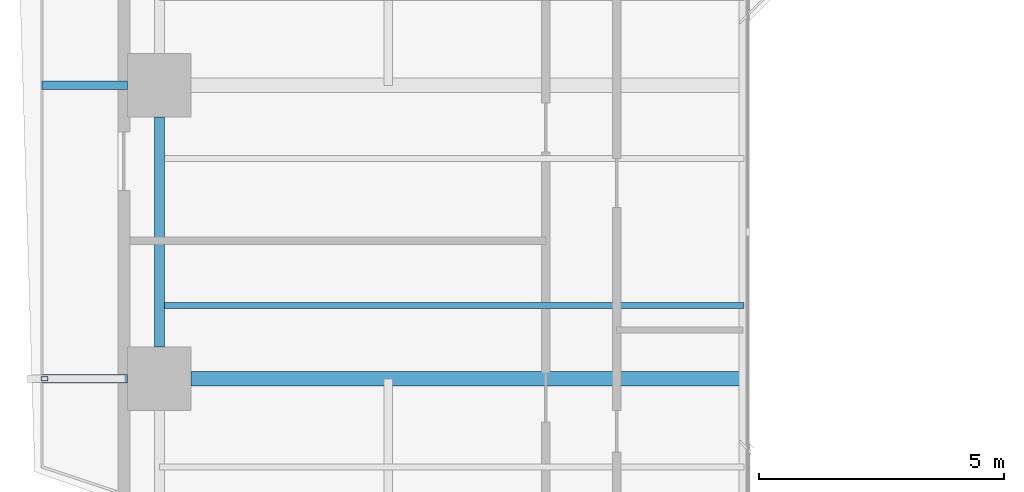
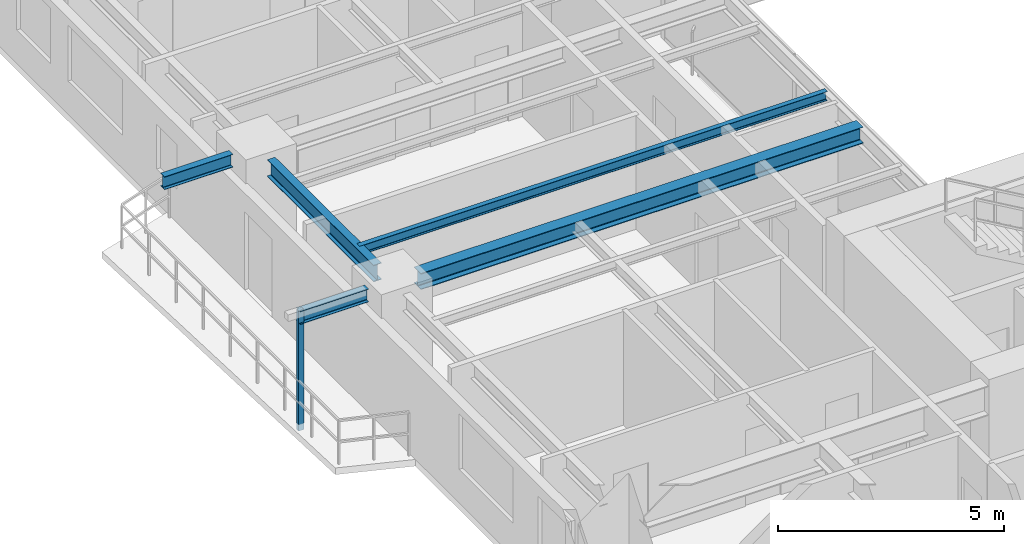
# One storey, part 3 of 23: 5 beams, 1 member.
"""IFC4 building model written with IfcOpenShell, lengths in metres."""

from ifc_helpers import new_model, si_unit, direction, frame, origin, origin_2d, place, context, subcontext, project, spatial, hollow_rectangle, i_section, extrude, source, transform, mapped, material, material_profile, profile_set, type_object, element, save


model = new_model("IFC4")

# Units and contexts
model_context = context("Model", 3, precision=1e-05, world=origin(), true_north=direction((0.0, 1.0)))
body_context = subcontext(model_context, "Body", "Model", "MODEL_VIEW")
ifc_project = project(units=[si_unit("LENGTHUNIT", "METRE"), si_unit("AREAUNIT", "SQUARE_METRE"), si_unit("VOLUMEUNIT", "CUBIC_METRE"), si_unit("PLANEANGLEUNIT", "RADIAN"), si_unit("MASSUNIT", "GRAM", prefix="KILO"), si_unit("THERMODYNAMICTEMPERATUREUNIT", "KELVIN"), si_unit("POWERUNIT", "WATT")], contexts=[model_context])

# Site, building, storey
site_placement = place(None, origin())
site = spatial("IfcSite", under=ifc_project, at=site_placement, CompositionType="ELEMENT")
building_placement = place(site_placement, origin())
building = spatial("IfcBuilding", under=site, at=building_placement, Name="Qiaomeng Ring Towers", CompositionType="ELEMENT")
storey_placement = place(building_placement, frame((0.0, 0.0, 66.5)))
storey = spatial("IfcBuildingStorey", under=building, at=storey_placement, Name="L18", CompositionType="ELEMENT", Elevation=66.5)

# Beams
ifc_material_1 = material(Name="Steel Q355B", Category="steel")
ifc_material_profile_1 = material_profile(ifc_material_1, i_section(OverallWidth=0.199951171875, OverallDepth=0.449951171875, WebThickness=0.009033203125, FlangeThickness=0.013916015625, FilletRadius=0.01806640625, at=origin_2d()), Name="HN 450x200x9x14")
ifc_profile_set_1 = profile_set([ifc_material_profile_1], Name="Steel Q355B")
beam_type_1 = type_object("IfcBeamType", Name="STR-BM-HN450", PredefinedType="SPANDREL", material=ifc_profile_set_1)
shared_shape_1 = source(origin(), body_context, "Body", "SweptSolid", [
    extrude(i_section(OverallWidth=0.199951171875, OverallDepth=0.449951171875, WebThickness=0.009033203125, FlangeThickness=0.013916015625, FilletRadius=0.01806640625, at=origin_2d()), origin(), (0.0, 0.0, 1.0), 4.7021484375),
])
beam_1_placement = place(storey_placement, frame((0.85009765625, 25.35107421875, 2.844970703125), z_axis=(0.0, -1.0, 0.0), x_axis=(1.0, 0.0, 0.0)))
element("IfcBeam", 1, at=beam_1_placement, inside=storey, type_object=beam_type_1, Name="L18 beam STR-SP-L18-T1-W3-W2", PredefinedType="SPANDREL", context=body_context, shape_type="MappedRepresentation", body=[
    mapped(shared_shape_1, transform((0.0, 0.0, 0.0), x_axis=(1.0, 0.0, 0.0), y_axis=(0.0, 1.0, 0.0), z_axis=(0.0, 0.0, 1.0), scale=1.0)),
])
ifc_material_profile_2 = material_profile(ifc_material_1, i_section(OverallWidth=0.300048828125, OverallDepth=0.43994140625, WebThickness=0.010986328125, FlangeThickness=0.01806640625, FilletRadius=0.02392578125, at=origin_2d()), Name="HM 440x300x11x18")
ifc_profile_set_2 = profile_set([ifc_material_profile_2], Name="Steel Q355B")
beam_type_2 = type_object("IfcBeamType", Name="STR-BM-HM440", PredefinedType="BEAM", material=ifc_profile_set_2)
shared_shape_2 = source(origin(), body_context, "Body", "SweptSolid", [
    extrude(i_section(OverallWidth=0.300048828125, OverallDepth=0.43994140625, WebThickness=0.010986328125, FlangeThickness=0.01806640625, FilletRadius=0.02392578125, at=origin_2d()), origin(), (0.0, 0.0, 1.0), 11.301025390625),
])
beam_2_placement = place(storey_placement, frame((1.4990234375, 20.0, 2.85009765625), z_axis=(1.0, 0.0, 0.0), x_axis=(0.0, 1.0, 0.0)))
element("IfcBeam", 2, at=beam_2_placement, inside=storey, type_object=beam_type_2, Name="L18 beam STR-BM-L18-T1-RAD-W2", PredefinedType="BEAM", context=body_context, shape_type="MappedRepresentation", body=[
    mapped(shared_shape_2, transform((0.0, 0.0, 0.0), x_axis=(1.0, 0.0, 0.0), y_axis=(0.0, 1.0, 0.0), z_axis=(0.0, 0.0, 1.0), scale=1.0)),
])
ifc_material_profile_3 = material_profile(ifc_material_1, i_section(OverallWidth=0.175048828125, OverallDepth=0.35009765625, WebThickness=0.007080078125, FlangeThickness=0.010986328125, FilletRadius=0.013916015625, at=origin_2d()), Name="HN 350x175x7x11")
ifc_profile_set_3 = profile_set([ifc_material_profile_3], Name="Steel Q355B")
beam_type_3 = type_object("IfcBeamType", Name="STR-BM-HN350", PredefinedType="JOIST", material=ifc_profile_set_3)
shared_shape_3 = source(origin(), body_context, "Body", "SweptSolid", [
    extrude(i_section(OverallWidth=0.175048828125, OverallDepth=0.35009765625, WebThickness=0.007080078125, FlangeThickness=0.010986328125, FilletRadius=0.013916015625, at=origin_2d()), origin(), (0.0, 0.0, 1.0), 1.7509765625),
])
for number, where, z_axis, x_axis, name in (
    (3, (-1.550048828125, 20.0, 2.89501953125), (1.0, 0.0, 0.0), (0.0, 1.0, 0.0), "L18 beam STR-BALBM-L18-W2"),
    (4, (-1.550048828125, 26.0, 2.89501953125), (1.0, 0.0, 0.0), (0.0, 1.0, 0.0), "L18 beam STR-BALBM-L18-W3"),
):
    element("IfcBeam", number, at=place(storey_placement, frame(where, z_axis=z_axis, x_axis=x_axis)), inside=storey, type_object=beam_type_3, Name=name, PredefinedType="JOIST", context=body_context, shape_type="MappedRepresentation", body=[
        mapped(shared_shape_3, transform((0.0, 0.0, 0.0), x_axis=(1.0, 0.0, 0.0), y_axis=(0.0, 1.0, 0.0), z_axis=(0.0, 0.0, 1.0), scale=1.0)),
    ])
ifc_material_profile_4 = material_profile(ifc_material_1, i_section(OverallWidth=0.125, OverallDepth=0.25, WebThickness=0.006103515625, FlangeThickness=0.009033203125, FilletRadius=0.011962890625, at=origin_2d()), Name="HN 250x125x6x9")
ifc_profile_set_4 = profile_set([ifc_material_profile_4], Name="Steel Q355B")
beam_type_4 = type_object("IfcBeamType", Name="STR-BM-HN250", PredefinedType="JOIST", material=ifc_profile_set_4)
shared_shape_4 = source(origin(), body_context, "Body", "SweptSolid", [
    extrude(i_section(OverallWidth=0.125, OverallDepth=0.25, WebThickness=0.006103515625, FlangeThickness=0.009033203125, FilletRadius=0.011962890625, at=origin_2d()), origin(), (0.0, 0.0, 1.0), 11.949951171875),
])
beam_3_placement = place(storey_placement, frame((0.85009765625, 21.5, 2.945068359375), z_axis=(1.0, 0.0, 0.0), x_axis=(0.0, 1.0, 0.0)))
element("IfcBeam", 5, at=beam_3_placement, inside=storey, type_object=beam_type_4, Name="L18 beam STR-JST-L18-T1W-2", PredefinedType="JOIST", context=body_context, shape_type="MappedRepresentation", body=[
    mapped(shared_shape_4, transform((0.0, 0.0, 0.0), x_axis=(1.0, 0.0, 0.0), y_axis=(0.0, 1.0, 0.0), z_axis=(0.0, 0.0, 1.0), scale=1.0)),
])

# Member
ifc_material_2 = material(Name="Stainless steel 316", Category="steel")
ifc_material_profile_5 = material_profile(ifc_material_2, hollow_rectangle(XDim=0.090087890625, YDim=0.139892578125, WallThickness=0.0048828125, at=origin_2d()), Name="SS TRELLIS 90x140")
ifc_profile_set_5 = profile_set([ifc_material_profile_5], Name="Stainless steel 316")
member_type = type_object("IfcMemberType", Name="ARC-TR-POST1", PredefinedType="STUD", material=ifc_profile_set_5)
shared_shape_5 = source(origin(), body_context, "Body", "SweptSolid", [
    extrude(hollow_rectangle(XDim=0.090087890625, YDim=0.139892578125, WallThickness=0.0048828125, at=origin_2d()), origin(), (0.0, 0.0, 1.0), 3.25),
])
member_placement = place(storey_placement, frame((-1.5, 20.0, -0.179931640625), z_axis=(0.0, 0.0, 1.0), x_axis=(0.0, 1.0, 0.0)))
element("IfcMember", 6, at=member_placement, inside=storey, type_object=member_type, Name="L18 Outer Ventilated Trellis Post W", PredefinedType="STUD", context=body_context, shape_type="MappedRepresentation", body=[
    mapped(shared_shape_5, transform((0.0, 0.0, 0.0), x_axis=(1.0, 0.0, 0.0), y_axis=(0.0, 1.0, 0.0), z_axis=(0.0, 0.0, 1.0), scale=1.0)),
])

save(model, "model.ifc")
